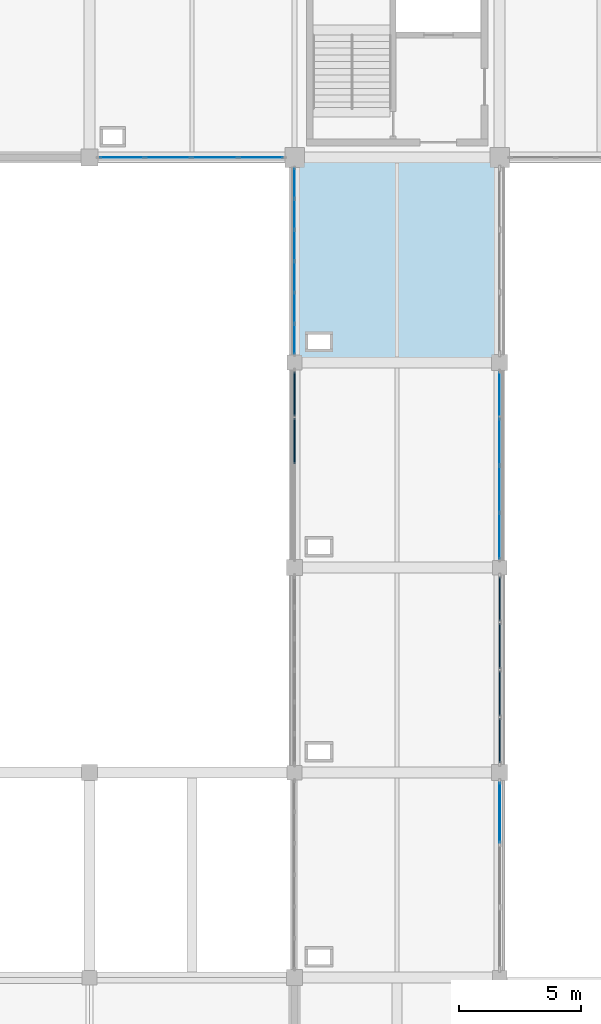
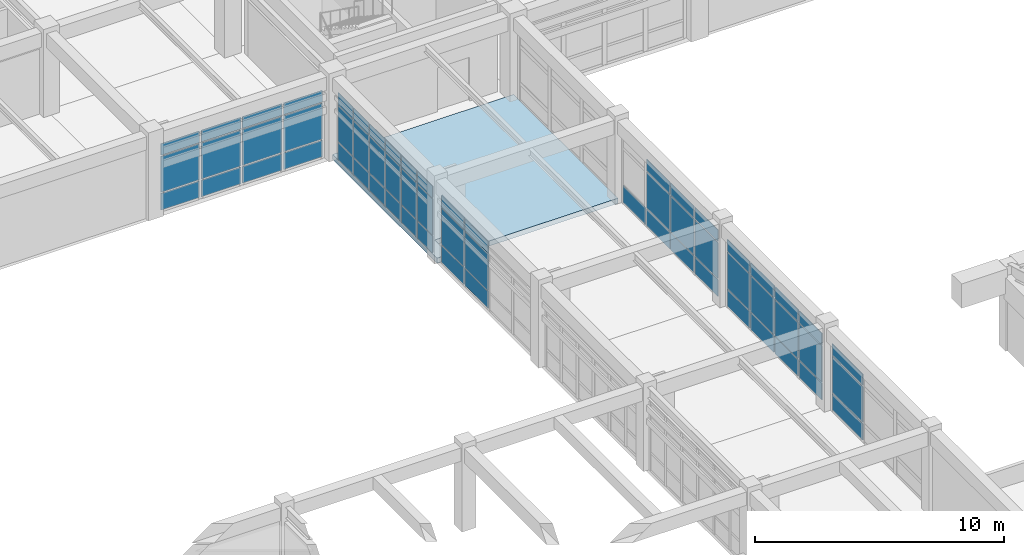
# One storey, part 52 of 74: 61 plates, 1 slab, 6 elements without a shape of their own.
"""IFC4 building model written with IfcOpenShell, lengths in metres."""

import ifcopenshell
import ifcopenshell.guid

model = None  # the IFC model being written
_history = None  # IfcOwnerHistory: only IFC2X3 demands one
_inside = {}  # id of a spatial element -> (the spatial element, [elements in it])
_under = {}  # id of a project, library or spatial element -> (it, [spatial elements below it])
_declared = {}  # id of a project -> (the project, [libraries it declares])
_typed = {}  # id of a type object -> (the type object, [elements of that type])
_made_of = {}  # id of a material, layer set ... -> (it, [elements and type objects made of it])


def new_model(schema):
    """Start an empty IFC model of exactly this schema.

    Asked for "IFC4X3", IfcOpenShell would pick the latest addendum, in which some entities
    have other attributes; the version numbers below select the first issue.
    IFC2X3 requires an IfcOwnerHistory on every rooted entity: one is made here for all.
    """
    global model, _history
    if schema == "IFC4X3":
        model = ifcopenshell.file(schema_version=(4, 3, 0, 0))
    else:
        model = ifcopenshell.file(schema=schema)
    _inside.clear()
    _under.clear()
    _declared.clear()
    _typed.clear()
    _made_of.clear()
    _history = None
    if model.schema == "IFC2X3":
        org = make("IfcOrganization", Name="unknown")
        user = make(
            "IfcPersonAndOrganization",
            ThePerson=make("IfcPerson", FamilyName="unknown"),
            TheOrganization=org,
        )
        app = make(
            "IfcApplication",
            ApplicationDeveloper=org,
            Version="unknown",
            ApplicationFullName="unknown",
            ApplicationIdentifier="unknown",
        )
        _history = make(
            "IfcOwnerHistory",
            OwningUser=user,
            OwningApplication=app,
            ChangeAction="ADDED",
            CreationDate=0,
        )
    return model


def make(cls, **values):
    """One entity of the class cls with the attributes given. An attribute that is None is left unset."""
    return model.create_entity(
        cls, **{name: value for name, value in values.items() if value is not None}
    )


def rooted(cls, **values):
    """An entity with a GlobalId (a new one), such as an element, a storey or a relation."""
    return make(cls, GlobalId=ifcopenshell.guid.new(), OwnerHistory=_history, **values)


def si_unit(unit_type, name, prefix=None):
    """IfcSIUnit, for example si_unit("LENGTHUNIT", "METRE", prefix="MILLI")."""
    return make("IfcSIUnit", UnitType=unit_type, Prefix=prefix, Name=name)


def assignment(units):
    """IfcUnitAssignment: the units of a project."""
    return None if units is None else make("IfcUnitAssignment", Units=units)


def point(xyz):
    """IfcCartesianPoint."""
    return None if xyz is None else make("IfcCartesianPoint", Coordinates=xyz)


def direction(xyz):
    """IfcDirection."""
    return None if xyz is None else make("IfcDirection", DirectionRatios=xyz)


def frame(location, z_axis=None, x_axis=None):
    """IfcAxis2Placement3D, a coordinate frame: its origin and axes. An axis left out is left unset."""
    return make(
        "IfcAxis2Placement3D",
        Location=point(location),
        Axis=direction(z_axis),
        RefDirection=direction(x_axis),
    )


def frame_2d(location, x_axis=None):
    """IfcAxis2Placement2D, a coordinate frame in the plane: its origin and x axis."""
    return make(
        "IfcAxis2Placement2D", Location=point(location), RefDirection=direction(x_axis)
    )


def origin():
    """The frame at (0, 0, 0) with its axes left unset."""
    return frame((0.0, 0.0, 0.0))


def origin_2d():
    """The frame at (0, 0) in the plane with its x axis left unset."""
    return frame_2d((0.0, 0.0))


def place(relative_to, where):
    """IfcLocalPlacement: puts the frame where relative to a parent placement (None: the world)."""
    return make(
        "IfcLocalPlacement", PlacementRelTo=relative_to, RelativePlacement=where
    )


def context(
    kind, dimensions, precision=None, world=None, true_north=None, identifier=None
):
    """IfcGeometricRepresentationContext, for example the 3D "Model" context."""
    return make(
        "IfcGeometricRepresentationContext",
        ContextIdentifier=identifier,
        ContextType=kind,
        CoordinateSpaceDimension=dimensions,
        Precision=precision,
        WorldCoordinateSystem=world,
        TrueNorth=true_north,
    )


def subcontext(parent, identifier, kind, view, scale=None):
    """IfcGeometricRepresentationSubContext, for example "Body" below "Model"."""
    return make(
        "IfcGeometricRepresentationSubContext",
        ContextIdentifier=identifier,
        ContextType=kind,
        ParentContext=parent,
        TargetScale=scale,
        TargetView=view,
    )


def project(units=None, contexts=None):
    """IfcProject with its units and contexts."""
    return rooted(
        "IfcProject",
        Name="project",
        RepresentationContexts=contexts,
        UnitsInContext=assignment(units),
    )


def spatial(cls, under=None, at=None, **own):
    """A site, building, storey or space (cls), placed at a placement, below another one or the project."""
    s = rooted(cls, ObjectPlacement=at, **own)
    if under is not None:
        _under.setdefault(under.id(), (under, []))[1].append(s)
    return s


def polyline(points):
    """IfcPolyline through the points."""
    return make("IfcPolyline", Points=[point(p) for p in points])


def profile(cls, at=None, kind="AREA", **sizes):
    """A parametric profile (cls). Its sizes go by their IFC names, for example OverallWidth=200.0."""
    return make(cls, ProfileType=kind, Position=at, **sizes)


def rectangle(**sizes):
    """IfcRectangleProfileDef."""
    return profile("IfcRectangleProfileDef", **sizes)


def outline(outer, holes=None, kind="AREA"):
    """IfcArbitraryClosedProfileDef: a profile drawn as a closed curve; with holes, ...WithVoids."""
    if holes is None:
        return make("IfcArbitraryClosedProfileDef", ProfileType=kind, OuterCurve=outer)
    return make(
        "IfcArbitraryProfileDefWithVoids",
        ProfileType=kind,
        OuterCurve=outer,
        InnerCurves=holes,
    )


def extrude(swept, where, along, depth):
    """IfcExtrudedAreaSolid: the profile swept, set in the frame where, extruded along a direction by depth."""
    return make(
        "IfcExtrudedAreaSolid",
        SweptArea=swept,
        Position=where,
        ExtrudedDirection=direction(along),
        Depth=depth,
    )


def shape(context_of_items, identifier, shape_type, items):
    """IfcShapeRepresentation: the items that make up one representation, for example the "Body"."""
    return make(
        "IfcShapeRepresentation",
        ContextOfItems=context_of_items,
        RepresentationIdentifier=identifier,
        RepresentationType=shape_type,
        Items=items,
    )


def material(Name=None, Category=None):
    """IfcMaterial."""
    return make("IfcMaterial", Name=Name, Category=Category)


def layer(
    of_material, thickness, ventilated=None, Name=None, Category=None, Priority=None
):
    """IfcMaterialLayer: one layer of a wall or slab, of a material (None: an air gap)."""
    return make(
        "IfcMaterialLayer",
        Material=of_material,
        LayerThickness=thickness,
        IsVentilated=ventilated,
        Name=Name,
        Category=Category,
        Priority=Priority,
    )


def layer_set(layers, Name=None):
    """IfcMaterialLayerSet."""
    return make("IfcMaterialLayerSet", MaterialLayers=layers, LayerSetName=Name)


def made_of(thing, what):
    """Note that an element or type object is made of a material, layer set ...; save() writes the relation."""
    if what is not None:
        _made_of.setdefault(what.id(), (what, []))[1].append(thing)
    return thing


def type_object(cls, material=None, **own):
    """A type object (cls), such as IfcWallType, which elements share."""
    return made_of(rooted(cls, **own), material)


def element(
    cls,
    number,
    at=None,
    inside=None,
    cuts=None,
    type_object=None,
    material=None,
    context=None,
    identifier="Body",
    shape_type=None,
    held_by="IfcProductDefinitionShape",
    body=None,
    shapes=None,
    **own,
):
    """One element of the class cls, such as IfcWall. Its Tag is "e" and its number.

    at: its placement. inside: the storey or other place that contains it. cuts: it is an
    opening in that element (IfcRelVoidsElement). A single representation is given by context,
    identifier, shape_type and body (its items); several are given by shapes. held_by: the class
    of the entity that holds the representations. save() writes the other relations.
    """
    e = rooted(cls, Tag="e%d" % number, ObjectPlacement=at, **own)
    if body is not None:
        shapes = [shape(context, identifier, shape_type, body)]
    if shapes is not None:
        e.Representation = make(held_by, Representations=shapes)
    if inside is not None:
        _inside.setdefault(inside.id(), (inside, []))[1].append(e)
    if cuts is not None:
        rooted(
            "IfcRelVoidsElement", RelatingBuildingElement=cuts, RelatedOpeningElement=e
        )
    if type_object is not None:
        _typed.setdefault(type_object.id(), (type_object, []))[1].append(e)
    return made_of(e, material)


def aggregate(whole, parts):
    """IfcRelAggregates: a whole, such as a stair, and the parts it consists of."""
    return rooted("IfcRelAggregates", RelatingObject=whole, RelatedObjects=parts)


def save(model, path):
    """Write the relations noted so far, then the file.

    IfcRelAggregates (storeys below a building ...), IfcRelContainedInSpatialStructure (elements
    in a storey), IfcRelDefinesByType, IfcRelAssociatesMaterial and IfcRelDeclares: one each for
    every whole, place, type object, material and project.
    """
    for whole, parts in _under.values():
        aggregate(whole, parts)
    for where, things in _inside.values():
        rooted(
            "IfcRelContainedInSpatialStructure",
            RelatedElements=things,
            RelatingStructure=where,
        )
    for kind, things in _typed.values():
        rooted("IfcRelDefinesByType", RelatedObjects=things, RelatingType=kind)
    for what, things in _made_of.values():
        rooted("IfcRelAssociatesMaterial", RelatedObjects=things, RelatingMaterial=what)
    for by, libraries in _declared.values():
        rooted("IfcRelDeclares", RelatingContext=by, RelatedDefinitions=libraries)
    model.write(path)


model = new_model("IFC4")

# Units and contexts
model_context = context("Model", 3, precision=1e-05, world=origin(), true_north=direction((0.0, 1.0)))
body_context = subcontext(model_context, "Body", "Model", "MODEL_VIEW")
ifc_project = project(units=[si_unit("LENGTHUNIT", "METRE"), si_unit("AREAUNIT", "SQUARE_METRE"), si_unit("VOLUMEUNIT", "CUBIC_METRE"), si_unit("PLANEANGLEUNIT", "RADIAN"), si_unit("MASSUNIT", "GRAM", prefix="KILO")], contexts=[model_context])

# Site, building, storey
site_placement = place(None, origin())
site = spatial("IfcSite", under=ifc_project, at=site_placement, CompositionType="ELEMENT")
building_placement = place(site_placement, origin())
building = spatial("IfcBuilding", under=site, at=building_placement, Name="Porcellanite Civic Hall", CompositionType="ELEMENT")
storey_placement = place(building_placement, frame((0.0, 0.0, 14.760009765625)))
storey = spatial("IfcBuildingStorey", under=building, at=storey_placement, Name="L03", CompositionType="ELEMENT", Elevation=14.760009765625)

# Curtain wall, plates
ifc_material_1 = material(Name="Anodised aluminium and solar laminated glass", Category="aluminium")
ifc_layer_1 = layer(ifc_material_1, 0.179931640625)
ifc_layer_set_1 = layer_set([ifc_layer_1], Name="Anodised aluminium and solar laminated glass")
curtain_wall_type_1 = type_object("IfcCurtainWallType", Name="CW-SYS06", PredefinedType="NOTDEFINED", material=ifc_layer_set_1)
curtain_wall_1_placement = place(storey_placement, origin())
curtain_wall_1 = element("IfcCurtainWall", 1, at=curtain_wall_1_placement, inside=storey, type_object=curtain_wall_type_1, Name="Curtain wall CW-200", PredefinedType="NOTDEFINED")
ifc_material_2 = material(Name="Cyclone laminated solar-control low-E glass", Category="glass")
ifc_layer_2 = layer(ifc_material_2, 0.02392578125)
ifc_layer_set_2 = layer_set([ifc_layer_2], Name="Cyclone laminated solar-control low-E glass")
plate_type_1 = type_object("IfcPlateType", Name="CWP-01", PredefinedType="CURTAIN_PANEL", material=ifc_layer_set_2)
plate_1_placement = place(storey_placement, frame((58.800048828125, 91.086181640625, 0.0498046875), z_axis=(0.0, 0.0, 1.0), x_axis=(0.0, -1.0, 0.0)))
plate_1 = element("IfcPlate", 2, at=plate_1_placement, type_object=plate_type_1, Name="CW-200 panel 1.1", PredefinedType="CURTAIN_PANEL", context=body_context, shape_type="SweptSolid", body=[
    extrude(rectangle(XDim=1.845703125, YDim=0.02392578125, at=origin_2d()), origin(), (0.0, 0.0, 1.0), 0.824951171875),
])
plate_2_placement = place(storey_placement, frame((58.800048828125, 89.1591796875, 0.0498046875), z_axis=(0.0, 0.0, 1.0), x_axis=(0.0, -1.0, 0.0)))
plate_2 = element("IfcPlate", 3, at=plate_2_placement, type_object=plate_type_1, Name="CW-200 panel 2.1", PredefinedType="CURTAIN_PANEL", context=body_context, shape_type="SweptSolid", body=[
    extrude(rectangle(XDim=1.878173828125, YDim=0.02392578125, at=origin_2d()), origin(), (0.0, 0.0, 1.0), 0.824951171875),
])
plate_3_placement = place(storey_placement, frame((58.800048828125, 89.1591796875, 0.925048828125), z_axis=(0.0, 0.0, 1.0), x_axis=(0.0, -1.0, 0.0)))
plate_3 = element("IfcPlate", 4, at=plate_3_placement, type_object=plate_type_1, Name="CW-200 panel 2.2", PredefinedType="CURTAIN_PANEL", context=body_context, shape_type="SweptSolid", body=[
    extrude(rectangle(XDim=1.878173828125, YDim=0.02392578125, at=origin_2d()), origin(), (0.0, 0.0, 1.0), 1.77001953125),
])
plate_4_placement = place(storey_placement, frame((58.800048828125, 89.1591796875, 2.7451171875), z_axis=(0.0, 0.0, 1.0), x_axis=(0.0, -1.0, 0.0)))
plate_4 = element("IfcPlate", 5, at=plate_4_placement, type_object=plate_type_1, Name="CW-200 panel 2.3", PredefinedType="CURTAIN_PANEL", context=body_context, shape_type="SweptSolid", body=[
    extrude(rectangle(XDim=1.878173828125, YDim=0.02392578125, at=origin_2d()), origin(), (0.0, 0.0, 1.0), 0.574951171875),
])
plate_5_placement = place(storey_placement, frame((58.800048828125, 87.2158203125, 0.0498046875), z_axis=(0.0, 0.0, 1.0), x_axis=(0.0, -1.0, 0.0)))
plate_5 = element("IfcPlate", 6, at=plate_5_placement, type_object=plate_type_1, Name="CW-200 panel 3.1", PredefinedType="CURTAIN_PANEL", context=body_context, shape_type="SweptSolid", body=[
    extrude(rectangle(XDim=1.878173828125, YDim=0.02392578125, at=origin_2d()), origin(), (0.0, 0.0, 1.0), 0.824951171875),
])
plate_6_placement = place(storey_placement, frame((58.800048828125, 87.2158203125, 0.925048828125), z_axis=(0.0, 0.0, 1.0), x_axis=(0.0, -1.0, 0.0)))
plate_6 = element("IfcPlate", 7, at=plate_6_placement, type_object=plate_type_1, Name="CW-200 panel 3.2", PredefinedType="CURTAIN_PANEL", context=body_context, shape_type="SweptSolid", body=[
    extrude(rectangle(XDim=1.878173828125, YDim=0.02392578125, at=origin_2d()), origin(), (0.0, 0.0, 1.0), 1.77001953125),
])
plate_7_placement = place(storey_placement, frame((58.800048828125, 87.2158203125, 2.7451171875), z_axis=(0.0, 0.0, 1.0), x_axis=(0.0, -1.0, 0.0)))
plate_7 = element("IfcPlate", 8, at=plate_7_placement, type_object=plate_type_1, Name="CW-200 panel 3.3", PredefinedType="CURTAIN_PANEL", context=body_context, shape_type="SweptSolid", body=[
    extrude(rectangle(XDim=1.878173828125, YDim=0.02392578125, at=origin_2d()), origin(), (0.0, 0.0, 1.0), 0.574951171875),
])
plate_8_placement = place(storey_placement, frame((58.800048828125, 85.288818359375, 0.0498046875), z_axis=(0.0, 0.0, 1.0), x_axis=(0.0, -1.0, 0.0)))
plate_8 = element("IfcPlate", 9, at=plate_8_placement, type_object=plate_type_1, Name="CW-200 panel 4.1", PredefinedType="CURTAIN_PANEL", context=body_context, shape_type="SweptSolid", body=[
    extrude(rectangle(XDim=1.845703125, YDim=0.02392578125, at=origin_2d()), origin(), (0.0, 0.0, 1.0), 0.824951171875),
])
plate_9_placement = place(storey_placement, frame((58.800048828125, 85.288818359375, 0.925048828125), z_axis=(0.0, 0.0, 1.0), x_axis=(0.0, -1.0, 0.0)))
plate_9 = element("IfcPlate", 10, at=plate_9_placement, type_object=plate_type_1, Name="CW-200 panel 4.2", PredefinedType="CURTAIN_PANEL", context=body_context, shape_type="SweptSolid", body=[
    extrude(rectangle(XDim=1.845703125, YDim=0.02392578125, at=origin_2d()), origin(), (0.0, 0.0, 1.0), 1.77001953125),
])
plate_10_placement = place(storey_placement, frame((58.800048828125, 85.288818359375, 2.7451171875), z_axis=(0.0, 0.0, 1.0), x_axis=(0.0, -1.0, 0.0)))
plate_10 = element("IfcPlate", 11, at=plate_10_placement, type_object=plate_type_1, Name="CW-200 panel 4.3", PredefinedType="CURTAIN_PANEL", context=body_context, shape_type="SweptSolid", body=[
    extrude(rectangle(XDim=1.845703125, YDim=0.02392578125, at=origin_2d()), origin(), (0.0, 0.0, 1.0), 0.574951171875),
])
aggregate(curtain_wall_1, [plate_1, plate_2, plate_3, plate_4, plate_5, plate_6, plate_7, plate_8, plate_9, plate_10])

ifc_material_3 = material(Name="Anodised aluminium and solar laminated glass", Category="aluminium")
ifc_layer_3 = layer(ifc_material_3, 0.179931640625)
ifc_layer_set_3 = layer_set([ifc_layer_3], Name="Anodised aluminium and solar laminated glass")
curtain_wall_type_2 = type_object("IfcCurtainWallType", Name="CW-SYS07", PredefinedType="NOTDEFINED", material=ifc_layer_set_3)
curtain_wall_2_placement = place(storey_placement, origin())
curtain_wall_2 = element("IfcCurtainWall", 12, at=curtain_wall_2_placement, inside=storey, type_object=curtain_wall_type_2, Name="Curtain wall CW-201", PredefinedType="NOTDEFINED")
ifc_material_4 = material(Name="Cyclone laminated solar-control low-E glass", Category="glass")
ifc_layer_4 = layer(ifc_material_4, 0.02587890625)
ifc_layer_set_4 = layer_set([ifc_layer_4], Name="Cyclone laminated solar-control low-E glass")
plate_type_2 = type_object("IfcPlateType", Name="CWP-02", PredefinedType="CURTAIN_PANEL", material=ifc_layer_set_4)
plate_11_placement = place(storey_placement, frame((50.39990234375, 93.357421875, 0.0498046875), z_axis=(0.0, 0.0, 1.0), x_axis=(0.0, 1.0, 0.0)))
plate_11 = element("IfcPlate", 13, at=plate_11_placement, type_object=plate_type_2, Name="CW-201 panel 1.1", PredefinedType="CURTAIN_PANEL", context=body_context, shape_type="SweptSolid", body=[
    extrude(rectangle(XDim=1.193115234375, YDim=0.02587890625, at=origin_2d()), origin(), (0.0, 0.0, 1.0), 0.824951171875),
])
plate_12_placement = place(storey_placement, frame((50.39990234375, 93.357421875, 0.925048828125), z_axis=(0.0, 0.0, 1.0), x_axis=(0.0, 1.0, 0.0)))
plate_12 = element("IfcPlate", 14, at=plate_12_placement, type_object=plate_type_2, Name="CW-201 panel 1.2", PredefinedType="CURTAIN_PANEL", context=body_context, shape_type="SweptSolid", body=[
    extrude(rectangle(XDim=1.193115234375, YDim=0.02587890625, at=origin_2d()), origin(), (0.0, 0.0, 1.0), 1.77001953125),
])
plate_13_placement = place(storey_placement, frame((50.39990234375, 93.357421875, 2.7451171875), z_axis=(0.0, 0.0, 1.0), x_axis=(0.0, 1.0, 0.0)))
plate_13 = element("IfcPlate", 15, at=plate_13_placement, type_object=plate_type_2, Name="CW-201 panel 1.3", PredefinedType="CURTAIN_PANEL", context=body_context, shape_type="SweptSolid", body=[
    extrude(rectangle(XDim=1.193115234375, YDim=0.02587890625, at=origin_2d()), origin(), (0.0, 0.0, 1.0), 0.574951171875),
])
plate_14_placement = place(storey_placement, frame((50.39990234375, 94.62548828125, 0.0498046875), z_axis=(0.0, 0.0, 1.0), x_axis=(0.0, 1.0, 0.0)))
plate_14 = element("IfcPlate", 16, at=plate_14_placement, type_object=plate_type_2, Name="CW-201 panel 2.1", PredefinedType="CURTAIN_PANEL", context=body_context, shape_type="SweptSolid", body=[
    extrude(rectangle(XDim=1.222900390625, YDim=0.02587890625, at=origin_2d()), origin(), (0.0, 0.0, 1.0), 0.824951171875),
])
plate_15_placement = place(storey_placement, frame((50.39990234375, 94.62548828125, 0.925048828125), z_axis=(0.0, 0.0, 1.0), x_axis=(0.0, 1.0, 0.0)))
plate_15 = element("IfcPlate", 17, at=plate_15_placement, type_object=plate_type_2, Name="CW-201 panel 2.2", PredefinedType="CURTAIN_PANEL", context=body_context, shape_type="SweptSolid", body=[
    extrude(rectangle(XDim=1.222900390625, YDim=0.02587890625, at=origin_2d()), origin(), (0.0, 0.0, 1.0), 1.77001953125),
])
plate_16_placement = place(storey_placement, frame((50.39990234375, 94.62548828125, 2.7451171875), z_axis=(0.0, 0.0, 1.0), x_axis=(0.0, 1.0, 0.0)))
plate_16 = element("IfcPlate", 18, at=plate_16_placement, type_object=plate_type_2, Name="CW-201 panel 2.3", PredefinedType="CURTAIN_PANEL", context=body_context, shape_type="SweptSolid", body=[
    extrude(rectangle(XDim=1.222900390625, YDim=0.02587890625, at=origin_2d()), origin(), (0.0, 0.0, 1.0), 0.574951171875),
])
plate_17_placement = place(storey_placement, frame((50.39990234375, 95.908447265625, 0.0498046875), z_axis=(0.0, 0.0, 1.0), x_axis=(0.0, 1.0, 0.0)))
plate_17 = element("IfcPlate", 19, at=plate_17_placement, type_object=plate_type_2, Name="CW-201 panel 3.1", PredefinedType="CURTAIN_PANEL", context=body_context, shape_type="SweptSolid", body=[
    extrude(rectangle(XDim=1.222900390625, YDim=0.02587890625, at=origin_2d()), origin(), (0.0, 0.0, 1.0), 0.824951171875),
])
plate_18_placement = place(storey_placement, frame((50.39990234375, 95.908447265625, 0.925048828125), z_axis=(0.0, 0.0, 1.0), x_axis=(0.0, 1.0, 0.0)))
plate_18 = element("IfcPlate", 20, at=plate_18_placement, type_object=plate_type_2, Name="CW-201 panel 3.2", PredefinedType="CURTAIN_PANEL", context=body_context, shape_type="SweptSolid", body=[
    extrude(rectangle(XDim=1.222900390625, YDim=0.02587890625, at=origin_2d()), origin(), (0.0, 0.0, 1.0), 1.77001953125),
])
plate_19_placement = place(storey_placement, frame((50.39990234375, 95.908447265625, 2.7451171875), z_axis=(0.0, 0.0, 1.0), x_axis=(0.0, 1.0, 0.0)))
plate_19 = element("IfcPlate", 21, at=plate_19_placement, type_object=plate_type_2, Name="CW-201 panel 3.3", PredefinedType="CURTAIN_PANEL", context=body_context, shape_type="SweptSolid", body=[
    extrude(rectangle(XDim=1.222900390625, YDim=0.02587890625, at=origin_2d()), origin(), (0.0, 0.0, 1.0), 0.574951171875),
])
plate_20_placement = place(storey_placement, frame((50.39990234375, 97.19140625, 0.0498046875), z_axis=(0.0, 0.0, 1.0), x_axis=(0.0, 1.0, 0.0)))
plate_20 = element("IfcPlate", 22, at=plate_20_placement, type_object=plate_type_2, Name="CW-201 panel 4.1", PredefinedType="CURTAIN_PANEL", context=body_context, shape_type="SweptSolid", body=[
    extrude(rectangle(XDim=1.222900390625, YDim=0.02587890625, at=origin_2d()), origin(), (0.0, 0.0, 1.0), 0.824951171875),
])
plate_21_placement = place(storey_placement, frame((50.39990234375, 97.19140625, 0.925048828125), z_axis=(0.0, 0.0, 1.0), x_axis=(0.0, 1.0, 0.0)))
plate_21 = element("IfcPlate", 23, at=plate_21_placement, type_object=plate_type_2, Name="CW-201 panel 4.2", PredefinedType="CURTAIN_PANEL", context=body_context, shape_type="SweptSolid", body=[
    extrude(rectangle(XDim=1.222900390625, YDim=0.02587890625, at=origin_2d()), origin(), (0.0, 0.0, 1.0), 1.77001953125),
])
plate_22_placement = place(storey_placement, frame((50.39990234375, 97.19140625, 2.7451171875), z_axis=(0.0, 0.0, 1.0), x_axis=(0.0, 1.0, 0.0)))
plate_22 = element("IfcPlate", 24, at=plate_22_placement, type_object=plate_type_2, Name="CW-201 panel 4.3", PredefinedType="CURTAIN_PANEL", context=body_context, shape_type="SweptSolid", body=[
    extrude(rectangle(XDim=1.222900390625, YDim=0.02587890625, at=origin_2d()), origin(), (0.0, 0.0, 1.0), 0.574951171875),
])
plate_23_placement = place(storey_placement, frame((50.39990234375, 98.474609375, 0.0498046875), z_axis=(0.0, 0.0, 1.0), x_axis=(0.0, 1.0, 0.0)))
plate_23 = element("IfcPlate", 25, at=plate_23_placement, type_object=plate_type_2, Name="CW-201 panel 5.1", PredefinedType="CURTAIN_PANEL", context=body_context, shape_type="SweptSolid", body=[
    extrude(rectangle(XDim=1.222900390625, YDim=0.02587890625, at=origin_2d()), origin(), (0.0, 0.0, 1.0), 0.824951171875),
])
plate_24_placement = place(storey_placement, frame((50.39990234375, 98.474609375, 0.925048828125), z_axis=(0.0, 0.0, 1.0), x_axis=(0.0, 1.0, 0.0)))
plate_24 = element("IfcPlate", 26, at=plate_24_placement, type_object=plate_type_2, Name="CW-201 panel 5.2", PredefinedType="CURTAIN_PANEL", context=body_context, shape_type="SweptSolid", body=[
    extrude(rectangle(XDim=1.222900390625, YDim=0.02587890625, at=origin_2d()), origin(), (0.0, 0.0, 1.0), 1.77001953125),
])
plate_25_placement = place(storey_placement, frame((50.39990234375, 98.474609375, 2.7451171875), z_axis=(0.0, 0.0, 1.0), x_axis=(0.0, 1.0, 0.0)))
plate_25 = element("IfcPlate", 27, at=plate_25_placement, type_object=plate_type_2, Name="CW-201 panel 5.3", PredefinedType="CURTAIN_PANEL", context=body_context, shape_type="SweptSolid", body=[
    extrude(rectangle(XDim=1.222900390625, YDim=0.02587890625, at=origin_2d()), origin(), (0.0, 0.0, 1.0), 0.574951171875),
])
plate_26_placement = place(storey_placement, frame((50.39990234375, 99.742431640625, 0.0498046875), z_axis=(0.0, 0.0, 1.0), x_axis=(0.0, 1.0, 0.0)))
plate_26 = element("IfcPlate", 28, at=plate_26_placement, type_object=plate_type_2, Name="CW-201 panel 6.1", PredefinedType="CURTAIN_PANEL", context=body_context, shape_type="SweptSolid", body=[
    extrude(rectangle(XDim=1.193115234375, YDim=0.02587890625, at=origin_2d()), origin(), (0.0, 0.0, 1.0), 0.824951171875),
])
plate_27_placement = place(storey_placement, frame((50.39990234375, 99.742431640625, 0.925048828125), z_axis=(0.0, 0.0, 1.0), x_axis=(0.0, 1.0, 0.0)))
plate_27 = element("IfcPlate", 29, at=plate_27_placement, type_object=plate_type_2, Name="CW-201 panel 6.2", PredefinedType="CURTAIN_PANEL", context=body_context, shape_type="SweptSolid", body=[
    extrude(rectangle(XDim=1.193115234375, YDim=0.02587890625, at=origin_2d()), origin(), (0.0, 0.0, 1.0), 1.77001953125),
])
plate_28_placement = place(storey_placement, frame((50.39990234375, 99.742431640625, 2.7451171875), z_axis=(0.0, 0.0, 1.0), x_axis=(0.0, 1.0, 0.0)))
plate_28 = element("IfcPlate", 30, at=plate_28_placement, type_object=plate_type_2, Name="CW-201 panel 6.3", PredefinedType="CURTAIN_PANEL", context=body_context, shape_type="SweptSolid", body=[
    extrude(rectangle(XDim=1.193115234375, YDim=0.02587890625, at=origin_2d()), origin(), (0.0, 0.0, 1.0), 0.574951171875),
])
aggregate(curtain_wall_2, [plate_11, plate_12, plate_13, plate_14, plate_15, plate_16, plate_17, plate_18, plate_19, plate_20, plate_21, plate_22, plate_23, plate_24, plate_25, plate_26, plate_27, plate_28])

ifc_material_5 = material(Name="Anodised aluminium and solar laminated glass", Category="aluminium")
ifc_layer_5 = layer(ifc_material_5, 0.179931640625)
ifc_layer_set_5 = layer_set([ifc_layer_5], Name="Anodised aluminium and solar laminated glass")
curtain_wall_type_3 = type_object("IfcCurtainWallType", Name="CW-SYS03", PredefinedType="NOTDEFINED", material=ifc_layer_set_5)
curtain_wall_3_placement = place(storey_placement, origin())
curtain_wall_3 = element("IfcCurtainWall", 31, at=curtain_wall_3_placement, inside=storey, type_object=curtain_wall_type_3, Name="Curtain wall CW-192", PredefinedType="NOTDEFINED")
ifc_material_6 = material(Name="Cyclone laminated solar-control low-E glass", Category="glass")
ifc_layer_6 = layer(ifc_material_6, 0.028076171875)
ifc_layer_set_6 = layer_set([ifc_layer_6], Name="Cyclone laminated solar-control low-E glass")
plate_type_3 = type_object("IfcPlateType", Name="CWP-03", PredefinedType="CURTAIN_PANEL", material=ifc_layer_set_6)
plate_29_placement = place(storey_placement, frame((49.02294921875, 100.800048828125, 0.054931640625), z_axis=(0.0, 0.0, 1.0), x_axis=(-1.0, 0.0, 0.0)))
plate_29 = element("IfcPlate", 32, at=plate_29_placement, type_object=plate_type_3, Name="CW-192 panel 1.1", PredefinedType="CURTAIN_PANEL", context=body_context, shape_type="SweptSolid", body=[
    extrude(rectangle(XDim=1.7919921875, YDim=0.028076171875, at=origin_2d()), origin(), (0.0, 0.0, 1.0), 0.8173828125),
])
plate_30_placement = place(storey_placement, frame((49.02294921875, 100.800048828125, 0.927734375), z_axis=(0.0, 0.0, 1.0), x_axis=(-1.0, 0.0, 0.0)))
plate_30 = element("IfcPlate", 33, at=plate_30_placement, type_object=plate_type_3, Name="CW-192 panel 1.2", PredefinedType="CURTAIN_PANEL", context=body_context, shape_type="SweptSolid", body=[
    extrude(rectangle(XDim=1.7919921875, YDim=0.028076171875, at=origin_2d()), origin(), (0.0, 0.0, 1.0), 1.764892578125),
])
plate_31_placement = place(storey_placement, frame((49.02294921875, 100.800048828125, 2.74755859375), z_axis=(0.0, 0.0, 1.0), x_axis=(-1.0, 0.0, 0.0)))
plate_31 = element("IfcPlate", 34, at=plate_31_placement, type_object=plate_type_3, Name="CW-192 panel 1.3", PredefinedType="CURTAIN_PANEL", context=body_context, shape_type="SweptSolid", body=[
    extrude(rectangle(XDim=1.7919921875, YDim=0.028076171875, at=origin_2d()), origin(), (0.0, 0.0, 1.0), 0.5673828125),
])
plate_32_placement = place(storey_placement, frame((47.131103515625, 100.800048828125, 0.054931640625), z_axis=(0.0, 0.0, 1.0), x_axis=(-1.0, 0.0, 0.0)))
plate_32 = element("IfcPlate", 35, at=plate_32_placement, type_object=plate_type_3, Name="CW-192 panel 2.1", PredefinedType="CURTAIN_PANEL", context=body_context, shape_type="SweptSolid", body=[
    extrude(rectangle(XDim=1.83203125, YDim=0.028076171875, at=origin_2d()), origin(), (0.0, 0.0, 1.0), 0.8173828125),
])
plate_33_placement = place(storey_placement, frame((47.131103515625, 100.800048828125, 0.927734375), z_axis=(0.0, 0.0, 1.0), x_axis=(-1.0, 0.0, 0.0)))
plate_33 = element("IfcPlate", 36, at=plate_33_placement, type_object=plate_type_3, Name="CW-192 panel 2.2", PredefinedType="CURTAIN_PANEL", context=body_context, shape_type="SweptSolid", body=[
    extrude(rectangle(XDim=1.83203125, YDim=0.028076171875, at=origin_2d()), origin(), (0.0, 0.0, 1.0), 1.764892578125),
])
plate_34_placement = place(storey_placement, frame((47.131103515625, 100.800048828125, 2.74755859375), z_axis=(0.0, 0.0, 1.0), x_axis=(-1.0, 0.0, 0.0)))
plate_34 = element("IfcPlate", 37, at=plate_34_placement, type_object=plate_type_3, Name="CW-192 panel 2.3", PredefinedType="CURTAIN_PANEL", context=body_context, shape_type="SweptSolid", body=[
    extrude(rectangle(XDim=1.83203125, YDim=0.028076171875, at=origin_2d()), origin(), (0.0, 0.0, 1.0), 0.5673828125),
])
plate_35_placement = place(storey_placement, frame((45.218994140625, 100.800048828125, 0.054931640625), z_axis=(0.0, 0.0, 1.0), x_axis=(-1.0, 0.0, 0.0)))
plate_35 = element("IfcPlate", 38, at=plate_35_placement, type_object=plate_type_3, Name="CW-192 panel 3.1", PredefinedType="CURTAIN_PANEL", context=body_context, shape_type="SweptSolid", body=[
    extrude(rectangle(XDim=1.83203125, YDim=0.028076171875, at=origin_2d()), origin(), (0.0, 0.0, 1.0), 0.8173828125),
])
plate_36_placement = place(storey_placement, frame((45.218994140625, 100.800048828125, 0.927734375), z_axis=(0.0, 0.0, 1.0), x_axis=(-1.0, 0.0, 0.0)))
plate_36 = element("IfcPlate", 39, at=plate_36_placement, type_object=plate_type_3, Name="CW-192 panel 3.2", PredefinedType="CURTAIN_PANEL", context=body_context, shape_type="SweptSolid", body=[
    extrude(rectangle(XDim=1.83203125, YDim=0.028076171875, at=origin_2d()), origin(), (0.0, 0.0, 1.0), 1.764892578125),
])
plate_37_placement = place(storey_placement, frame((45.218994140625, 100.800048828125, 2.74755859375), z_axis=(0.0, 0.0, 1.0), x_axis=(-1.0, 0.0, 0.0)))
plate_37 = element("IfcPlate", 40, at=plate_37_placement, type_object=plate_type_3, Name="CW-192 panel 3.3", PredefinedType="CURTAIN_PANEL", context=body_context, shape_type="SweptSolid", body=[
    extrude(rectangle(XDim=1.83203125, YDim=0.028076171875, at=origin_2d()), origin(), (0.0, 0.0, 1.0), 0.5673828125),
])
plate_38_placement = place(storey_placement, frame((43.326904296875, 100.800048828125, 0.054931640625), z_axis=(0.0, 0.0, 1.0), x_axis=(-1.0, 0.0, 0.0)))
plate_38 = element("IfcPlate", 41, at=plate_38_placement, type_object=plate_type_3, Name="CW-192 panel 4.1", PredefinedType="CURTAIN_PANEL", context=body_context, shape_type="SweptSolid", body=[
    extrude(rectangle(XDim=1.7919921875, YDim=0.028076171875, at=origin_2d()), origin(), (0.0, 0.0, 1.0), 0.8173828125),
])
plate_39_placement = place(storey_placement, frame((43.326904296875, 100.800048828125, 0.927734375), z_axis=(0.0, 0.0, 1.0), x_axis=(-1.0, 0.0, 0.0)))
plate_39 = element("IfcPlate", 42, at=plate_39_placement, type_object=plate_type_3, Name="CW-192 panel 4.2", PredefinedType="CURTAIN_PANEL", context=body_context, shape_type="SweptSolid", body=[
    extrude(rectangle(XDim=1.7919921875, YDim=0.028076171875, at=origin_2d()), origin(), (0.0, 0.0, 1.0), 1.764892578125),
])
plate_40_placement = place(storey_placement, frame((43.326904296875, 100.800048828125, 2.74755859375), z_axis=(0.0, 0.0, 1.0), x_axis=(-1.0, 0.0, 0.0)))
plate_40 = element("IfcPlate", 43, at=plate_40_placement, type_object=plate_type_3, Name="CW-192 panel 4.3", PredefinedType="CURTAIN_PANEL", context=body_context, shape_type="SweptSolid", body=[
    extrude(rectangle(XDim=1.7919921875, YDim=0.028076171875, at=origin_2d()), origin(), (0.0, 0.0, 1.0), 0.5673828125),
])
aggregate(curtain_wall_3, [plate_29, plate_30, plate_31, plate_32, plate_33, plate_34, plate_35, plate_36, plate_37, plate_38, plate_39, plate_40])

ifc_material_7 = material(Name="Anodised aluminium and solar laminated glass", Category="aluminium")
ifc_layer_7 = layer(ifc_material_7, 0.179931640625)
ifc_layer_set_7 = layer_set([ifc_layer_7], Name="Anodised aluminium and solar laminated glass")
curtain_wall_type_4 = type_object("IfcCurtainWallType", Name="CW-SYS08", PredefinedType="NOTDEFINED", material=ifc_layer_set_7)
curtain_wall_4_placement = place(storey_placement, origin())
curtain_wall_4 = element("IfcCurtainWall", 44, at=curtain_wall_4_placement, inside=storey, type_object=curtain_wall_type_4, Name="Curtain wall CW-196", PredefinedType="NOTDEFINED")
ifc_material_8 = material(Name="Cyclone laminated solar-control low-E glass", Category="glass")
ifc_layer_8 = layer(ifc_material_8, 0.035888671875)
ifc_layer_set_8 = layer_set([ifc_layer_8], Name="Cyclone laminated solar-control low-E glass")
plate_type_4 = type_object("IfcPlateType", Name="CWP-07", PredefinedType="CURTAIN_PANEL", material=ifc_layer_set_8)
plate_41_placement = place(storey_placement, frame((58.800048828125, 73.95849609375, 0.070068359375), z_axis=(0.0, 0.0, 1.0), x_axis=(0.0, -1.0, 0.0)))
plate_41 = element("IfcPlate", 45, at=plate_41_placement, type_object=plate_type_4, Name="CW-196 panel 1.1", PredefinedType="CURTAIN_PANEL", context=body_context, shape_type="SweptSolid", body=[
    extrude(rectangle(XDim=2.470947265625, YDim=0.035888671875, at=origin_2d()), origin(), (0.0, 0.0, 1.0), 0.794921875),
])
plate_42_placement = place(storey_placement, frame((58.800048828125, 73.95849609375, 0.93505859375), z_axis=(0.0, 0.0, 1.0), x_axis=(0.0, -1.0, 0.0)))
plate_42 = element("IfcPlate", 46, at=plate_42_placement, type_object=plate_type_4, Name="CW-196 panel 1.2", PredefinedType="CURTAIN_PANEL", context=body_context, shape_type="SweptSolid", body=[
    extrude(rectangle(XDim=2.470947265625, YDim=0.035888671875, at=origin_2d()), origin(), (0.0, 0.0, 1.0), 1.75),
])
plate_43_placement = place(storey_placement, frame((58.800048828125, 73.95849609375, 2.755126953125), z_axis=(0.0, 0.0, 1.0), x_axis=(0.0, -1.0, 0.0)))
plate_43 = element("IfcPlate", 47, at=plate_43_placement, type_object=plate_type_4, Name="CW-196 panel 1.3", PredefinedType="CURTAIN_PANEL", context=body_context, shape_type="SweptSolid", body=[
    extrude(rectangle(XDim=2.470947265625, YDim=0.035888671875, at=origin_2d()), origin(), (0.0, 0.0, 1.0), 0.544921875),
])
aggregate(curtain_wall_4, [plate_41, plate_42, plate_43])

curtain_wall_5_placement = place(storey_placement, origin())
curtain_wall_5 = element("IfcCurtainWall", 48, at=curtain_wall_5_placement, inside=storey, type_object=curtain_wall_type_3, Name="Curtain wall CW-198", PredefinedType="NOTDEFINED")
ifc_material_9 = material(Name="Insulated ochre aluminium spandrel panel", Category="aluminium")
ifc_layer_9 = layer(ifc_material_9, 0.0419921875)
ifc_layer_set_9 = layer_set([ifc_layer_9], Name="Insulated ochre aluminium spandrel panel")
plate_type_5 = type_object("IfcPlateType", Name="CWP-09", PredefinedType="CURTAIN_PANEL", material=ifc_layer_set_9)
plate_44_placement = place(storey_placement, frame((58.800048828125, 82.707275390625, 0.054931640625), z_axis=(0.0, 0.0, 1.0), x_axis=(0.0, -1.0, 0.0)))
plate_44 = element("IfcPlate", 49, at=plate_44_placement, type_object=plate_type_5, Name="CW-198 panel 1.1", PredefinedType="CURTAIN_PANEL", context=body_context, shape_type="SweptSolid", body=[
    extrude(rectangle(XDim=1.8232421875, YDim=0.0419921875, at=origin_2d()), origin(), (0.0, 0.0, 1.0), 0.8173828125),
])
plate_45_placement = place(storey_placement, frame((58.800048828125, 82.707275390625, 0.927734375), z_axis=(0.0, 0.0, 1.0), x_axis=(0.0, -1.0, 0.0)))
plate_45 = element("IfcPlate", 50, at=plate_45_placement, type_object=plate_type_5, Name="CW-198 panel 1.2", PredefinedType="CURTAIN_PANEL", context=body_context, shape_type="SweptSolid", body=[
    extrude(rectangle(XDim=1.8232421875, YDim=0.0419921875, at=origin_2d()), origin(), (0.0, 0.0, 1.0), 1.764892578125),
])
plate_46_placement = place(storey_placement, frame((58.800048828125, 82.707275390625, 2.74755859375), z_axis=(0.0, 0.0, 1.0), x_axis=(0.0, -1.0, 0.0)))
plate_46 = element("IfcPlate", 51, at=plate_46_placement, type_object=plate_type_5, Name="CW-198 panel 1.3", PredefinedType="CURTAIN_PANEL", context=body_context, shape_type="SweptSolid", body=[
    extrude(rectangle(XDim=1.8232421875, YDim=0.0419921875, at=origin_2d()), origin(), (0.0, 0.0, 1.0), 0.5673828125),
])
plate_47_placement = place(storey_placement, frame((58.800048828125, 80.7841796875, 0.054931640625), z_axis=(0.0, 0.0, 1.0), x_axis=(0.0, -1.0, 0.0)))
plate_47 = element("IfcPlate", 52, at=plate_47_placement, type_object=plate_type_5, Name="CW-198 panel 2.1", PredefinedType="CURTAIN_PANEL", context=body_context, shape_type="SweptSolid", body=[
    extrude(rectangle(XDim=1.86328125, YDim=0.0419921875, at=origin_2d()), origin(), (0.0, 0.0, 1.0), 0.8173828125),
])
plate_48_placement = place(storey_placement, frame((58.800048828125, 80.7841796875, 0.927734375), z_axis=(0.0, 0.0, 1.0), x_axis=(0.0, -1.0, 0.0)))
plate_48 = element("IfcPlate", 53, at=plate_48_placement, type_object=plate_type_5, Name="CW-198 panel 2.2", PredefinedType="CURTAIN_PANEL", context=body_context, shape_type="SweptSolid", body=[
    extrude(rectangle(XDim=1.86328125, YDim=0.0419921875, at=origin_2d()), origin(), (0.0, 0.0, 1.0), 1.764892578125),
])
plate_49_placement = place(storey_placement, frame((58.800048828125, 80.7841796875, 2.74755859375), z_axis=(0.0, 0.0, 1.0), x_axis=(0.0, -1.0, 0.0)))
plate_49 = element("IfcPlate", 54, at=plate_49_placement, type_object=plate_type_5, Name="CW-198 panel 2.3", PredefinedType="CURTAIN_PANEL", context=body_context, shape_type="SweptSolid", body=[
    extrude(rectangle(XDim=1.86328125, YDim=0.0419921875, at=origin_2d()), origin(), (0.0, 0.0, 1.0), 0.5673828125),
])
plate_50_placement = place(storey_placement, frame((58.800048828125, 78.8408203125, 0.054931640625), z_axis=(0.0, 0.0, 1.0), x_axis=(0.0, -1.0, 0.0)))
plate_50 = element("IfcPlate", 55, at=plate_50_placement, type_object=plate_type_5, Name="CW-198 panel 3.1", PredefinedType="CURTAIN_PANEL", context=body_context, shape_type="SweptSolid", body=[
    extrude(rectangle(XDim=1.86328125, YDim=0.0419921875, at=origin_2d()), origin(), (0.0, 0.0, 1.0), 0.8173828125),
])
plate_51_placement = place(storey_placement, frame((58.800048828125, 78.8408203125, 0.927734375), z_axis=(0.0, 0.0, 1.0), x_axis=(0.0, -1.0, 0.0)))
plate_51 = element("IfcPlate", 56, at=plate_51_placement, type_object=plate_type_5, Name="CW-198 panel 3.2", PredefinedType="CURTAIN_PANEL", context=body_context, shape_type="SweptSolid", body=[
    extrude(rectangle(XDim=1.86328125, YDim=0.0419921875, at=origin_2d()), origin(), (0.0, 0.0, 1.0), 1.764892578125),
])
plate_52_placement = place(storey_placement, frame((58.800048828125, 78.8408203125, 2.74755859375), z_axis=(0.0, 0.0, 1.0), x_axis=(0.0, -1.0, 0.0)))
plate_52 = element("IfcPlate", 57, at=plate_52_placement, type_object=plate_type_5, Name="CW-198 panel 3.3", PredefinedType="CURTAIN_PANEL", context=body_context, shape_type="SweptSolid", body=[
    extrude(rectangle(XDim=1.86328125, YDim=0.0419921875, at=origin_2d()), origin(), (0.0, 0.0, 1.0), 0.5673828125),
])
plate_53_placement = place(storey_placement, frame((58.800048828125, 76.917724609375, 0.054931640625), z_axis=(0.0, 0.0, 1.0), x_axis=(0.0, -1.0, 0.0)))
plate_53 = element("IfcPlate", 58, at=plate_53_placement, type_object=plate_type_5, Name="CW-198 panel 4.1", PredefinedType="CURTAIN_PANEL", context=body_context, shape_type="SweptSolid", body=[
    extrude(rectangle(XDim=1.8232421875, YDim=0.0419921875, at=origin_2d()), origin(), (0.0, 0.0, 1.0), 0.8173828125),
])
plate_54_placement = place(storey_placement, frame((58.800048828125, 76.917724609375, 0.927734375), z_axis=(0.0, 0.0, 1.0), x_axis=(0.0, -1.0, 0.0)))
plate_54 = element("IfcPlate", 59, at=plate_54_placement, type_object=plate_type_5, Name="CW-198 panel 4.2", PredefinedType="CURTAIN_PANEL", context=body_context, shape_type="SweptSolid", body=[
    extrude(rectangle(XDim=1.8232421875, YDim=0.0419921875, at=origin_2d()), origin(), (0.0, 0.0, 1.0), 1.764892578125),
])
plate_55_placement = place(storey_placement, frame((58.800048828125, 76.917724609375, 2.74755859375), z_axis=(0.0, 0.0, 1.0), x_axis=(0.0, -1.0, 0.0)))
plate_55 = element("IfcPlate", 60, at=plate_55_placement, type_object=plate_type_5, Name="CW-198 panel 4.3", PredefinedType="CURTAIN_PANEL", context=body_context, shape_type="SweptSolid", body=[
    extrude(rectangle(XDim=1.8232421875, YDim=0.0419921875, at=origin_2d()), origin(), (0.0, 0.0, 1.0), 0.5673828125),
])
aggregate(curtain_wall_5, [plate_44, plate_45, plate_46, plate_47, plate_48, plate_49, plate_50, plate_51, plate_52, plate_53, plate_54, plate_55])

ifc_material_10 = material(Name="Anodised aluminium and solar laminated glass", Category="aluminium")
ifc_layer_10 = layer(ifc_material_10, 0.179931640625)
ifc_layer_set_10 = layer_set([ifc_layer_10], Name="Anodised aluminium and solar laminated glass")
curtain_wall_type_5 = type_object("IfcCurtainWallType", Name="CW-SYS04", PredefinedType="NOTDEFINED", material=ifc_layer_set_10)
curtain_wall_6_placement = place(storey_placement, origin())
curtain_wall_6 = element("IfcCurtainWall", 61, at=curtain_wall_6_placement, inside=storey, type_object=curtain_wall_type_5, Name="Curtain wall CW-199", PredefinedType="NOTDEFINED")
ifc_material_11 = material(Name="Insulated ochre aluminium spandrel panel", Category="aluminium")
ifc_layer_11 = layer(ifc_material_11, 0.0458984375)
ifc_layer_set_11 = layer_set([ifc_layer_11], Name="Insulated ochre aluminium spandrel panel")
plate_type_6 = type_object("IfcPlateType", Name="CWP-10", PredefinedType="CURTAIN_PANEL", material=ifc_layer_set_11)
plate_56_placement = place(storey_placement, frame((50.39990234375, 89.18408203125, 0.054931640625), z_axis=(0.0, 0.0, 1.0), x_axis=(0.0, 1.0, 0.0)))
plate_56 = element("IfcPlate", 62, at=plate_56_placement, type_object=plate_type_6, Name="CW-199 panel 3.1", PredefinedType="CURTAIN_PANEL", context=body_context, shape_type="SweptSolid", body=[
    extrude(rectangle(XDim=1.8681640625, YDim=0.0458984375, at=origin_2d()), origin(), (0.0, 0.0, 1.0), 0.8173828125),
])
plate_57_placement = place(storey_placement, frame((50.39990234375, 89.18408203125, 0.927734375), z_axis=(0.0, 0.0, 1.0), x_axis=(0.0, 1.0, 0.0)))
plate_57 = element("IfcPlate", 63, at=plate_57_placement, type_object=plate_type_6, Name="CW-199 panel 3.2", PredefinedType="CURTAIN_PANEL", context=body_context, shape_type="SweptSolid", body=[
    extrude(rectangle(XDim=1.8681640625, YDim=0.0458984375, at=origin_2d()), origin(), (0.0, 0.0, 1.0), 1.764892578125),
])
plate_58_placement = place(storey_placement, frame((50.39990234375, 89.18408203125, 2.74755859375), z_axis=(0.0, 0.0, 1.0), x_axis=(0.0, 1.0, 0.0)))
plate_58 = element("IfcPlate", 64, at=plate_58_placement, type_object=plate_type_6, Name="CW-199 panel 3.3", PredefinedType="CURTAIN_PANEL", context=body_context, shape_type="SweptSolid", body=[
    extrude(rectangle(XDim=1.8681640625, YDim=0.0458984375, at=origin_2d()), origin(), (0.0, 0.0, 1.0), 0.5673828125),
])
plate_59_placement = place(storey_placement, frame((50.39990234375, 91.108642578125, 0.054931640625), z_axis=(0.0, 0.0, 1.0), x_axis=(0.0, 1.0, 0.0)))
plate_59 = element("IfcPlate", 65, at=plate_59_placement, type_object=plate_type_6, Name="CW-199 panel 4.1", PredefinedType="CURTAIN_PANEL", context=body_context, shape_type="SweptSolid", body=[
    extrude(rectangle(XDim=1.830810546875, YDim=0.0458984375, at=origin_2d()), origin(), (0.0, 0.0, 1.0), 0.8173828125),
])
plate_60_placement = place(storey_placement, frame((50.39990234375, 91.108642578125, 0.927734375), z_axis=(0.0, 0.0, 1.0), x_axis=(0.0, 1.0, 0.0)))
plate_60 = element("IfcPlate", 66, at=plate_60_placement, type_object=plate_type_6, Name="CW-199 panel 4.2", PredefinedType="CURTAIN_PANEL", context=body_context, shape_type="SweptSolid", body=[
    extrude(rectangle(XDim=1.830810546875, YDim=0.0458984375, at=origin_2d()), origin(), (0.0, 0.0, 1.0), 1.764892578125),
])
plate_61_placement = place(storey_placement, frame((50.39990234375, 91.108642578125, 2.74755859375), z_axis=(0.0, 0.0, 1.0), x_axis=(0.0, 1.0, 0.0)))
plate_61 = element("IfcPlate", 67, at=plate_61_placement, type_object=plate_type_6, Name="CW-199 panel 4.3", PredefinedType="CURTAIN_PANEL", context=body_context, shape_type="SweptSolid", body=[
    extrude(rectangle(XDim=1.830810546875, YDim=0.0458984375, at=origin_2d()), origin(), (0.0, 0.0, 1.0), 0.5673828125),
])
aggregate(curtain_wall_6, [plate_56, plate_57, plate_58, plate_59, plate_60, plate_61])

# Slab
ifc_material_12 = material(Name="Concrete N40 (40 MPa)", Category="concrete")
ifc_layer_12 = layer(ifc_material_12, 0.25)
ifc_layer_set_12 = layer_set([ifc_layer_12], Name="Concrete N40 (40 MPa)")
slab_type = type_object("IfcSlabType", Name="SL-FL250", PredefinedType="FLOOR", material=ifc_layer_set_12)
slab_placement = place(storey_placement, frame((0.0, 0.0, -0.25)))
element("IfcSlab", 68, at=slab_placement, inside=storey, type_object=slab_type, Name="Slab L03 bay 7-12", PredefinedType="FLOOR", context=body_context, shape_type="SweptSolid", body=[
    extrude(outline(polyline([(50.39990234375, 92.39990234375), (58.800048828125, 92.39990234375), (58.800048828125, 100.800048828125), (50.39990234375, 100.800048828125), (50.39990234375, 92.39990234375)]), holes=[polyline([(50.949951171875, 92.949951171875), (51.85009765625, 92.949951171875), (51.85009765625, 93.550048828125), (50.949951171875, 93.550048828125), (50.949951171875, 92.949951171875)])]), origin(), (0.0, 0.0, 1.0), 0.25),
])

save(model, "model.ifc")
